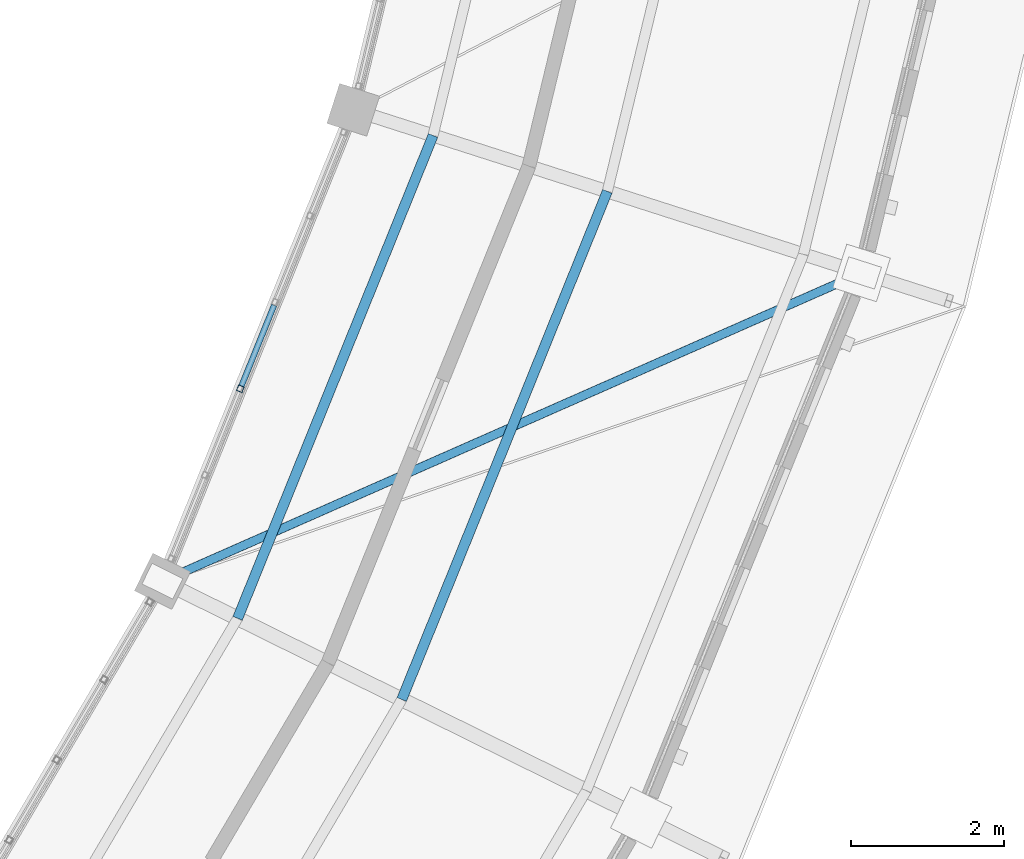
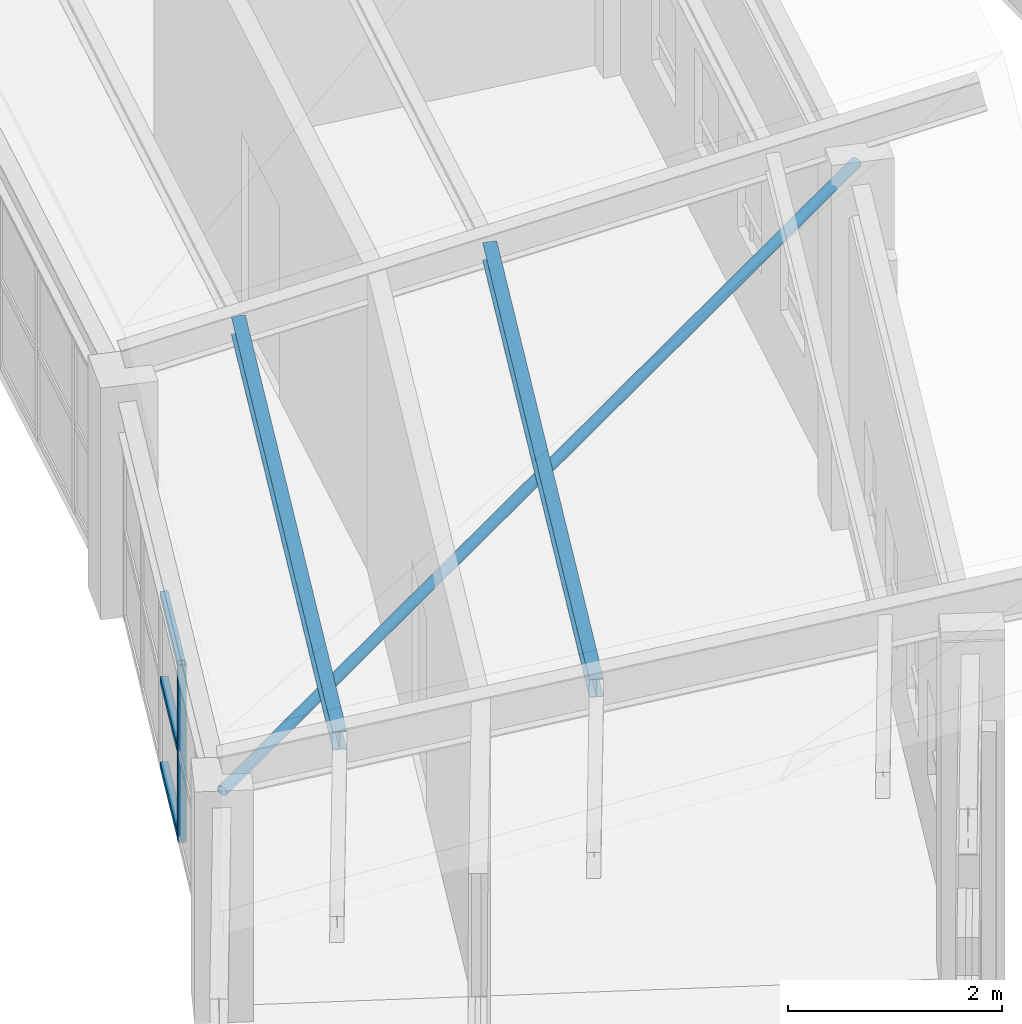
# One storey, part 87 of 149: 7 members, 1 element without a shape of its own.
"""IFC4 building model written with IfcOpenShell, lengths in metres."""

from ifc_helpers import new_model, si_unit, direction, frame, origin, origin_2d, place, context, subcontext, project, spatial, hollow_rectangle, hollow_circle, i_section, extrude, material, material_profile, profile_set, type_object, element, aggregate, save


model = new_model("IFC4")

# Units and contexts
model_context = context("Model", 3, precision=1e-05, world=origin(), true_north=direction((0.0, 1.0)))
body_context = subcontext(model_context, "Body", "Model", "MODEL_VIEW")
ifc_project = project(units=[si_unit("LENGTHUNIT", "METRE"), si_unit("AREAUNIT", "SQUARE_METRE"), si_unit("VOLUMEUNIT", "CUBIC_METRE"), si_unit("PLANEANGLEUNIT", "RADIAN"), si_unit("MASSUNIT", "GRAM", prefix="KILO")], contexts=[model_context])

# Site, building, storey
site_placement = place(None, origin())
site = spatial("IfcSite", under=ifc_project, at=site_placement, CompositionType="ELEMENT")
building_placement = place(site_placement, origin())
building = spatial("IfcBuilding", under=site, at=building_placement, Name="Celadon Cloister-Ring School", CompositionType="ELEMENT")
storey_placement = place(building_placement, frame((0.0, 0.0, 12.5)))
storey = spatial("IfcBuildingStorey", under=building, at=storey_placement, Name="L03", CompositionType="ELEMENT", Elevation=12.5)

# Curtain wall, members
ifc_material_1 = material(Name="Aluminium EN AW-6063 T6", Category="aluminium")
curtain_wall_type = type_object("IfcCurtainWallType", Name="CW-02", PredefinedType="USERDEFINED", material=ifc_material_1)
curtain_wall_placement = place(storey_placement, origin())
curtain_wall = element("IfcCurtainWall", 1, at=curtain_wall_placement, inside=storey, type_object=curtain_wall_type, Name="Curtain Wall 0069", ObjectType="CURTAIN WALL", PredefinedType="USERDEFINED")
ifc_material_2 = material(Name="Aluminium EN AW-6063 T6", Category="aluminium")
ifc_material_profile_1 = material_profile(ifc_material_2, hollow_rectangle(XDim=0.080078125, YDim=0.080078125, WallThickness=0.00390625, at=origin_2d()), Name="RHS80X80X4")
ifc_profile_set_1 = profile_set([ifc_material_profile_1], Name="Aluminium EN AW-6063 T6")
member_type_1 = type_object("IfcMemberType", Name="CM-03", PredefinedType="MULLION", material=ifc_profile_set_1)
member_1_placement = place(storey_placement, frame((128.370361328125, 41.599609375, 0.0), z_axis=(0.0, 0.0, 1.0), x_axis=(-0.927036236266, 0.37497175447, 0.0)))
member_1 = element("IfcMember", 2, at=member_1_placement, type_object=member_type_1, Name="CW-02 mullion 3", PredefinedType="MULLION", context=body_context, shape_type="SweptSolid", body=[
    extrude(hollow_rectangle(XDim=0.080078125, YDim=0.080078125, WallThickness=0.00390625, at=origin_2d()), origin(), (0.0, 0.0, 1.0), 2.02001953125),
])
ifc_material_3 = material(Name="Aluminium EN AW-6063 T6", Category="aluminium")
ifc_material_profile_2 = material_profile(ifc_material_3, hollow_rectangle(XDim=0.074951171875, YDim=0.074951171875, WallThickness=0.00390625, at=origin_2d()), Name="RHS75X75X4")
ifc_profile_set_2 = profile_set([ifc_material_profile_2], Name="Aluminium EN AW-6063 T6")
member_type_2 = type_object("IfcMemberType", Name="CTM-03", PredefinedType="USERDEFINED", material=ifc_profile_set_2)
member_2_placement = place(storey_placement, frame((128.385498046875, 41.63671875, 0.03759765625), z_axis=(0.375000300919, 0.927024689159, 0.0), x_axis=(-0.927024689159, 0.375000300919, 0.0)))
member_2 = element("IfcMember", 3, at=member_2_placement, type_object=member_type_2, Name="CW-02 transom 3.1", ObjectType="TRANSOM", PredefinedType="USERDEFINED", context=body_context, shape_type="SweptSolid", body=[
    extrude(hollow_rectangle(XDim=0.074951171875, YDim=0.074951171875, WallThickness=0.00390625, at=origin_2d()), origin(), (0.0, 0.0, 1.0), 1.141845703125),
])
member_3_placement = place(storey_placement, frame((128.385498046875, 41.63671875, 1.010009765625), z_axis=(0.375000300919, 0.927024689159, 0.0), x_axis=(-0.927024689159, 0.375000300919, 0.0)))
member_3 = element("IfcMember", 4, at=member_3_placement, type_object=member_type_2, Name="CW-02 transom 3.2", ObjectType="TRANSOM", PredefinedType="USERDEFINED", context=body_context, shape_type="SweptSolid", body=[
    extrude(hollow_rectangle(XDim=0.074951171875, YDim=0.074951171875, WallThickness=0.00390625, at=origin_2d()), origin(), (0.0, 0.0, 1.0), 1.141845703125),
])
member_4_placement = place(storey_placement, frame((128.385498046875, 41.63671875, 1.982421875), z_axis=(0.375000300919, 0.927024689159, 0.0), x_axis=(-0.927024689159, 0.375000300919, 0.0)))
member_4 = element("IfcMember", 5, at=member_4_placement, type_object=member_type_2, Name="CW-02 transom 3.3", ObjectType="TRANSOM", PredefinedType="USERDEFINED", context=body_context, shape_type="SweptSolid", body=[
    extrude(hollow_rectangle(XDim=0.074951171875, YDim=0.074951171875, WallThickness=0.00390625, at=origin_2d()), origin(), (0.0, 0.0, 1.0), 1.141845703125),
])
aggregate(curtain_wall, [member_1, member_2, member_3, member_4])

# Members
ifc_material_4 = material(Name="Structural steel S355JR", Category="steel")
ifc_material_profile_3 = material_profile(ifc_material_4, hollow_circle(Radius=0.05712890625, WallThickness=0.006103515625, at=origin_2d()), Name="CHS114.3X6")
ifc_profile_set_3 = profile_set([ifc_material_profile_3], Name="Structural steel S355JR")
member_type_3 = type_object("IfcMemberType", Name="MB-11", PredefinedType="BRACE", material=ifc_profile_set_3)
member_5_placement = place(storey_placement, frame((127.34912109375, 39.075927734375, 2.449951171875), z_axis=(0.904893186494, 0.399046735626, 0.148087892225), x_axis=(-0.403495595751, 0.914981586814, 0.0)))
element("IfcMember", 6, at=member_5_placement, inside=storey, type_object=member_type_3, Name="Structural Member 0208", PredefinedType="BRACE", context=body_context, shape_type="SweptSolid", body=[
    extrude(hollow_circle(Radius=0.05712890625, WallThickness=0.006103515625, at=origin_2d()), origin(), (0.0, 0.0, 1.0), 10.129150390625),
])
ifc_material_5 = material(Name="Structural steel S355JR", Category="steel")
ifc_material_profile_4 = material_profile(ifc_material_5, i_section(OverallWidth=0.133056640625, OverallDepth=0.20703125, WebThickness=0.005859375, FlangeThickness=0.00830078125, at=origin_2d()), Name="W200X27")
ifc_profile_set_4 = profile_set([ifc_material_profile_4], Name="Structural steel S355JR")
member_type_4 = type_object("IfcMemberType", Name="MP-04", PredefinedType="PURLIN", material=ifc_profile_set_4)
member_6_placement = place(storey_placement, frame((128.3349609375, 38.589111328125, 2.970947265625), z_axis=(0.375134982805, 0.926970196218, 0.0), x_axis=(-0.926970196218, 0.375134982805, 0.0)))
element("IfcMember", 7, at=member_6_placement, inside=storey, type_object=member_type_4, Name="Structural Member 0205", PredefinedType="PURLIN", context=body_context, shape_type="SweptSolid", body=[
    extrude(i_section(OverallWidth=0.133056640625, OverallDepth=0.20703125, WebThickness=0.005859375, FlangeThickness=0.00830078125, at=origin_2d()), origin(), (0.0, 0.0, 1.0), 6.82958984375),
])
member_7_placement = place(storey_placement, frame((130.487060546875, 37.52587890625, 3.4599609375), z_axis=(0.37503149242, 0.927012070953, 0.0), x_axis=(-0.927012070953, 0.37503149242, 0.0)))
element("IfcMember", 8, at=member_7_placement, inside=storey, type_object=member_type_4, Name="Structural Member 0206", PredefinedType="PURLIN", context=body_context, shape_type="SweptSolid", body=[
    extrude(i_section(OverallWidth=0.133056640625, OverallDepth=0.20703125, WebThickness=0.005859375, FlangeThickness=0.00830078125, at=origin_2d()), origin(), (0.0, 0.0, 1.0), 7.185546875),
])

save(model, "model.ifc")
